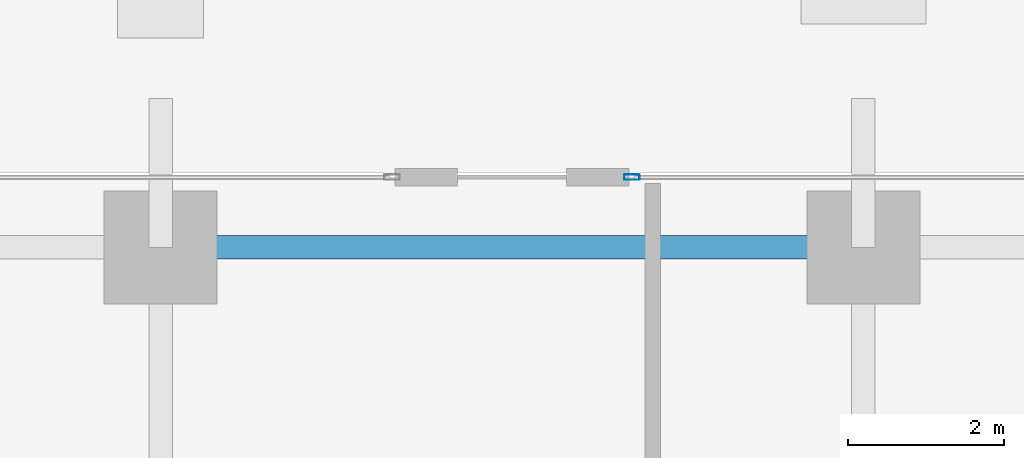
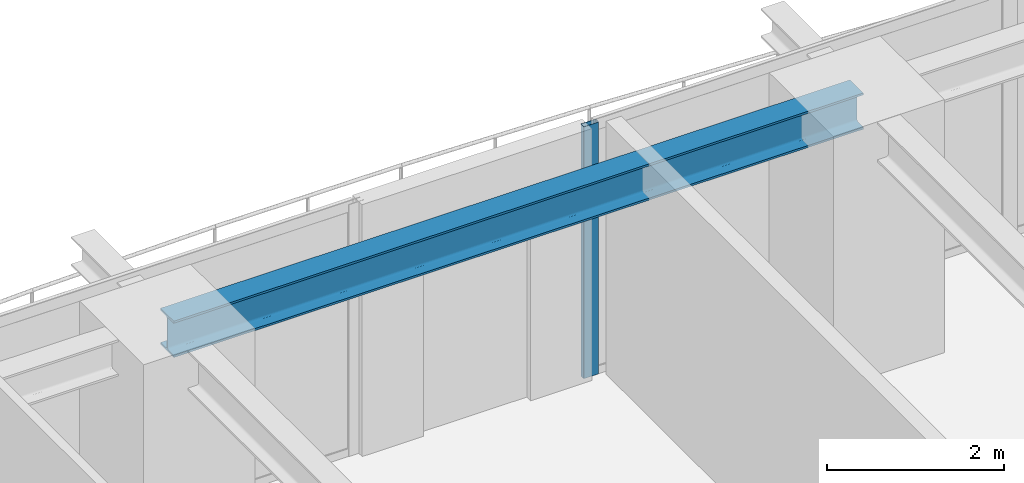
# One storey, part 18 of 36: 1 beam, 1 member, 1 element without a shape of its own.
"""IFC4 building model written with IfcOpenShell, lengths in metres."""

from ifc_helpers import new_model, si_unit, direction, frame, origin, origin_2d, place, context, subcontext, project, spatial, hollow_rectangle, i_section, extrude, source, transform, mapped, material, layer, layer_set, material_profile, profile_set, type_object, element, aggregate, save


model = new_model("IFC4")

# Units and contexts
model_context = context("Model", 3, precision=1e-05, world=origin(), true_north=direction((0.0, 1.0)))
body_context = subcontext(model_context, "Body", "Model", "MODEL_VIEW")
ifc_project = project(units=[si_unit("LENGTHUNIT", "METRE"), si_unit("AREAUNIT", "SQUARE_METRE"), si_unit("VOLUMEUNIT", "CUBIC_METRE"), si_unit("PLANEANGLEUNIT", "RADIAN"), si_unit("MASSUNIT", "GRAM", prefix="KILO")], contexts=[model_context])

# Site, building, storey
site_placement = place(None, origin())
site = spatial("IfcSite", under=ifc_project, at=site_placement, CompositionType="ELEMENT")
building_placement = place(site_placement, origin())
building = spatial("IfcBuilding", under=site, at=building_placement, Name="Serunith Strait Residences", CompositionType="ELEMENT")
storey_placement = place(building_placement, frame((0.0, 0.0, 41.699951171875)))
storey = spatial("IfcBuildingStorey", under=building, at=storey_placement, Name="L09", CompositionType="ELEMENT", Elevation=41.699951171875)

# Beam
ifc_material_1 = material(Name="Steel S355J2", Category="steel")
ifc_material_profile_1 = material_profile(ifc_material_1, i_section(OverallWidth=0.300048828125, OverallDepth=0.5, WebThickness=0.014404296875, FlangeThickness=0.028076171875, FilletRadius=0.027099609375, at=origin_2d()), Name="HEB 500")
ifc_profile_set_1 = profile_set([ifc_material_profile_1], Name="Steel S355J2")
beam_type = type_object("IfcBeamType", Name="BM-HEB500", PredefinedType="BEAM", material=ifc_profile_set_1)
shared_shape_1 = source(origin(), body_context, "Body", "SweptSolid", [
    extrude(i_section(OverallWidth=0.300048828125, OverallDepth=0.5, WebThickness=0.014404296875, FlangeThickness=0.028076171875, FilletRadius=0.027099609375, at=origin_2d()), origin(), (0.0, 0.0, 1.0), 9.0),
])
beam_placement = place(storey_placement, frame((36.89990234375, 49.300048828125, 3.237060546875), z_axis=(-1.0, 0.0, 0.0), x_axis=(0.0, -1.0, 0.0)))
element("IfcBeam", 1, at=beam_placement, inside=storey, type_object=beam_type, Name="L09 Perimeter Ring Beam 10", PredefinedType="BEAM", context=body_context, shape_type="MappedRepresentation", body=[
    mapped(shared_shape_1, transform((0.0, 0.0, 0.0), scale=1.0)),
])

# Curtain wall, member
ifc_material_2 = material(Name="Pale-Champagne Anodised Aluminium", Category="aluminium")
ifc_layer = layer(ifc_material_2, 0.199951171875, Name="Pale-Champagne Anodised Aluminium")
ifc_layer_set = layer_set([ifc_layer], Name="Pale-Champagne Anodised Aluminium")
curtain_wall_type = type_object("IfcCurtainWallType", Name="CW-SYS1", PredefinedType="NOTDEFINED", material=ifc_layer_set)
curtain_wall_placement = place(storey_placement, origin())
curtain_wall = element("IfcCurtainWall", 2, at=curtain_wall_placement, inside=storey, type_object=curtain_wall_type, Name="L09 N Unitised Fritted Curtain Wall", PredefinedType="NOTDEFINED")
ifc_material_profile_2 = material_profile(ifc_material_2, hollow_rectangle(XDim=0.070068359375, YDim=0.199951171875, WallThickness=0.00390625, InnerFilletRadius=0.006103515625, OuterFilletRadius=0.010009765625, at=origin_2d()), Name="ALU 200x70x4")
ifc_profile_set_2 = profile_set([ifc_material_profile_2], Name="Pale-Champagne Anodised Aluminium")
member_type = type_object("IfcMemberType", Name="CW-SYS1-MULL", PredefinedType="MULLION", material=ifc_profile_set_2)
shared_shape_2 = source(origin(), body_context, "Body", "SweptSolid", [
    extrude(hollow_rectangle(XDim=0.070068359375, YDim=0.199951171875, WallThickness=0.00390625, InnerFilletRadius=0.006103515625, OuterFilletRadius=0.010009765625, at=origin_2d()), origin(), (0.0, 0.0, 1.0), 3.47509765625),
])
member_placement = place(storey_placement, frame((33.93505859375, 50.199951171875, 0.0), z_axis=(0.0, 0.0, 1.0), x_axis=(0.0, -1.0, 0.0)))
member = element("IfcMember", 3, at=member_placement, type_object=member_type, Name="CW-1 mullion 4", PredefinedType="MULLION", context=body_context, shape_type="MappedRepresentation", body=[
    mapped(shared_shape_2, transform((0.0, 0.0, 0.0), scale=1.0)),
])
aggregate(curtain_wall, [member])

save(model, "model.ifc")
